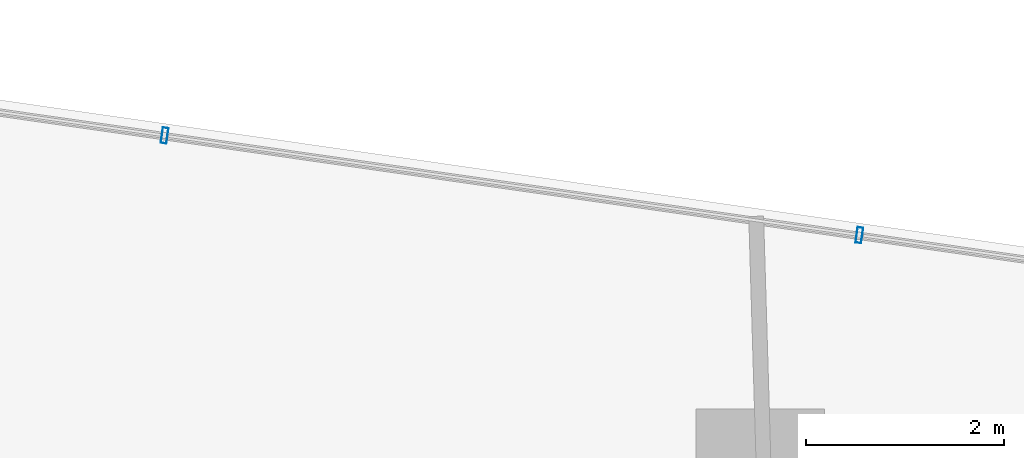
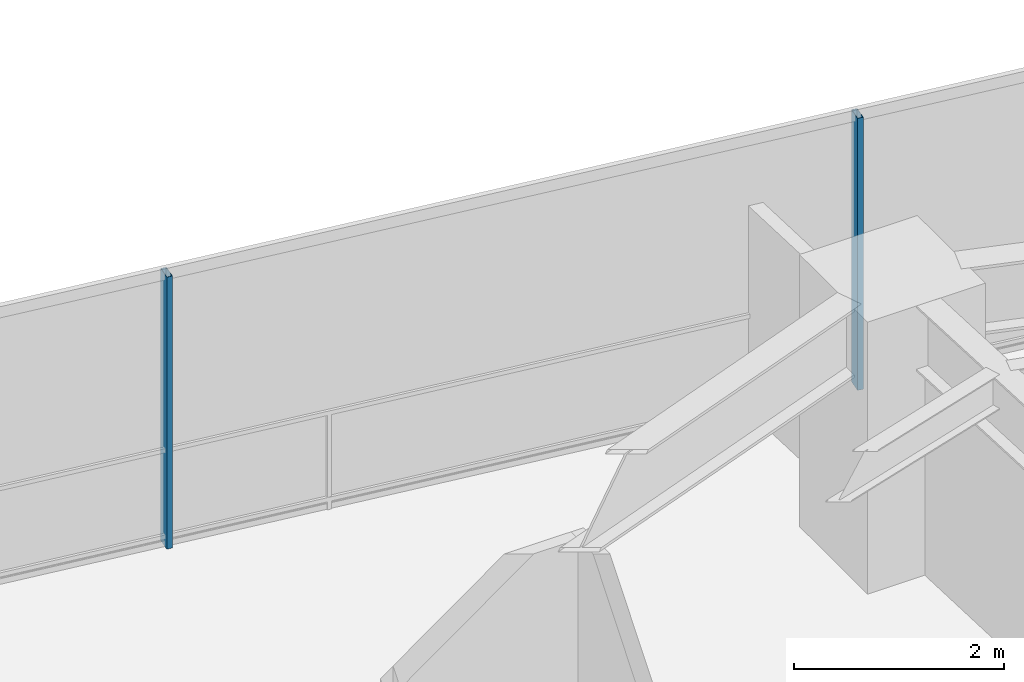
# One storey, part 20 of 32: 2 members, 1 element without a shape of its own.
"""IFC4 building model written with IfcOpenShell, lengths in metres."""

from ifc_helpers import new_model, si_unit, direction, frame, origin, origin_2d, place, context, subcontext, project, spatial, hollow_rectangle, extrude, material, layer, layer_set, material_profile, profile_set, type_object, element, aggregate, save


model = new_model("IFC4")

# Units and contexts
model_context = context("Model", 3, precision=1e-05, world=origin(), true_north=direction((0.0, 1.0)))
body_context = subcontext(model_context, "Body", "Model", "MODEL_VIEW")
ifc_project = project(units=[si_unit("LENGTHUNIT", "METRE"), si_unit("AREAUNIT", "SQUARE_METRE"), si_unit("VOLUMEUNIT", "CUBIC_METRE"), si_unit("PLANEANGLEUNIT", "RADIAN"), si_unit("MASSUNIT", "GRAM", prefix="KILO")], contexts=[model_context])

# Site, building, storey
site_placement = place(None, origin())
site = spatial("IfcSite", under=ifc_project, at=site_placement, CompositionType="ELEMENT")
building_placement = place(site_placement, origin())
building = spatial("IfcBuilding", under=site, at=building_placement, Name="Qarnah Convention Tower", CompositionType="ELEMENT")
storey_placement = place(building_placement, frame((0.0, 0.0, 37.35009765625)))
storey = spatial("IfcBuildingStorey", under=building, at=storey_placement, Name="L08", CompositionType="ELEMENT", Elevation=37.35009765625)

# Curtain wall, members
ifc_material_1 = material(Name="Tempered Low-E dark glass", Category="glass")
ifc_layer = layer(ifc_material_1, 0.16796875)
ifc_layer_set = layer_set([ifc_layer], Name="Tempered Low-E dark glass")
curtain_wall_type = type_object("IfcCurtainWallType", Name="CWS-01", PredefinedType="NOTDEFINED", material=ifc_layer_set)
curtain_wall_placement = place(storey_placement, origin())
curtain_wall = element("IfcCurtainWall", 1, at=curtain_wall_placement, inside=storey, type_object=curtain_wall_type, Name="L08 unitised curtain wall CW-L08-F2", PredefinedType="NOTDEFINED")
ifc_material_2 = material(Name="Black anodised aluminium", Category="aluminium")
ifc_material_profile = material_profile(ifc_material_2, hollow_rectangle(XDim=0.06005859375, YDim=0.159912109375, WallThickness=0.00390625, at=origin_2d()), Name="MUL-60X160")
ifc_profile_set = profile_set([ifc_material_profile], Name="Black anodised aluminium")
member_type = type_object("IfcMemberType", Name="MUL-T1", PredefinedType="MULLION", material=ifc_profile_set)
member_1_placement = place(storey_placement, frame((30.593505859375, 46.356689453125, 0.0), z_axis=(0.0, 0.0, 1.0), x_axis=(0.989875035809, -0.141941584753, 0.0)))
member_1 = element("IfcMember", 2, at=member_1_placement, type_object=member_type, Name="CW-L08-F2 mullion 2", PredefinedType="MULLION", context=body_context, shape_type="SweptSolid", body=[
    extrude(hollow_rectangle(XDim=0.06005859375, YDim=0.159912109375, WallThickness=0.00390625, at=origin_2d()), origin(), (0.0, 0.0, 1.0), 3.169921875),
])
member_2_placement = place(storey_placement, frame((37.625732421875, 45.34814453125, 0.0), z_axis=(0.0, 0.0, 1.0), x_axis=(0.989875035809, -0.141941584753, 0.0)))
member_2 = element("IfcMember", 3, at=member_2_placement, type_object=member_type, Name="CW-L08-F2 mullion 3", PredefinedType="MULLION", context=body_context, shape_type="SweptSolid", body=[
    extrude(hollow_rectangle(XDim=0.06005859375, YDim=0.159912109375, WallThickness=0.00390625, at=origin_2d()), origin(), (0.0, 0.0, 1.0), 3.169921875),
])
aggregate(curtain_wall, [member_1, member_2])

save(model, "model.ifc")
